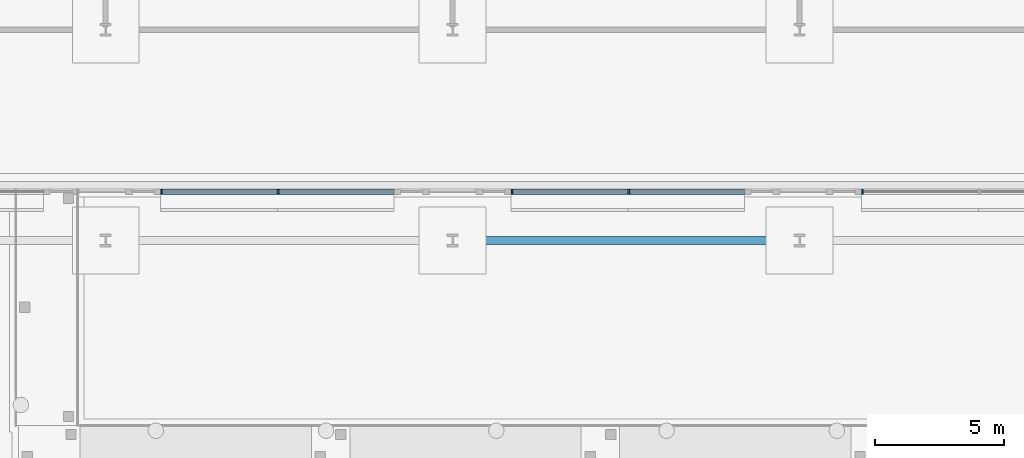
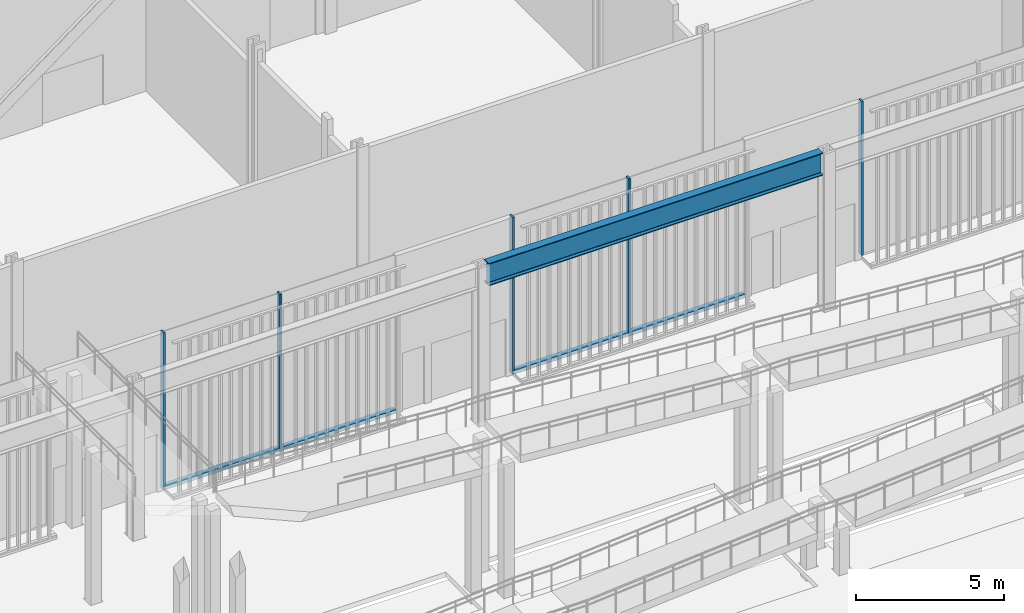
# One storey, part 4 of 28: 7 members, 1 beam, 1 element without a shape of its own.
"""IFC4 building model written with IfcOpenShell, lengths in metres."""

from ifc_helpers import new_model, si_unit, direction, frame, origin, origin_2d, place, context, subcontext, project, spatial, rectangle, i_section, extrude, material, layer, layer_set, material_profile, profile_set, type_object, element, aggregate, save


model = new_model("IFC4")

# Units and contexts
model_context = context("Model", 3, precision=1e-05, world=origin(), true_north=direction((0.0, 1.0)))
body_context = subcontext(model_context, "Body", "Model", "MODEL_VIEW")
ifc_project = project(units=[si_unit("LENGTHUNIT", "METRE"), si_unit("AREAUNIT", "SQUARE_METRE"), si_unit("VOLUMEUNIT", "CUBIC_METRE"), si_unit("PLANEANGLEUNIT", "RADIAN"), si_unit("MASSUNIT", "GRAM", prefix="KILO")], contexts=[model_context])

# Site, building, storey
site_placement = place(None, origin())
site = spatial("IfcSite", under=ifc_project, at=site_placement, CompositionType="ELEMENT")
building_placement = place(site_placement, origin())
building = spatial("IfcBuilding", under=site, at=building_placement, Name="Millrace Tower", CompositionType="ELEMENT")
storey_placement = place(building_placement, origin())
storey = spatial("IfcBuildingStorey", under=building, at=storey_placement, Name="L01", CompositionType="ELEMENT", Elevation=0.0)

# Curtain wall, members
ifc_material_1 = material(Name="Aluminium and glass", Category="aluminium")
ifc_layer = layer(ifc_material_1, 0.199951171875)
ifc_layer_set = layer_set([ifc_layer], Name="Aluminium and glass")
curtain_wall_type = type_object("IfcCurtainWallType", Name="CW-6 lobby and cascade wing storefront", PredefinedType="NOTDEFINED", material=ifc_layer_set)
curtain_wall_placement = place(storey_placement, origin())
curtain_wall = element("IfcCurtainWall", 1, at=curtain_wall_placement, inside=storey, type_object=curtain_wall_type, Name="Curtain wall AW1-F01 L01", PredefinedType="NOTDEFINED")
ifc_material_2 = material(Name="Aluminium", Category="aluminium")
ifc_material_profile_1 = material_profile(ifc_material_2, rectangle(XDim=0.074951171875, YDim=0.199951171875, at=origin_2d()))
ifc_profile_set_1 = profile_set([ifc_material_profile_1], Name="Aluminium")
member_type_1 = type_object("IfcMemberType", Name="CW-6 lobby and cascade wing storefront mullion", PredefinedType="MULLION", material=ifc_profile_set_1)
member_1_placement = place(storey_placement, frame((-11.326171875, -47.699951171875, 0.14990234375), z_axis=(0.0, 0.0, 1.0), x_axis=(1.0, 0.0, 0.0)))
member_1 = element("IfcMember", 2, at=member_1_placement, type_object=member_type_1, Name="CW6 mullion AW1-F01.4", PredefinedType="MULLION", context=body_context, shape_type="SweptSolid", body=[
    extrude(rectangle(XDim=0.074951171875, YDim=0.199951171875, at=origin_2d()), origin(), (0.0, 0.0, 1.0), 6.35009765625),
])
member_2_placement = place(storey_placement, frame((-6.78076171875, -47.699951171875, 0.14990234375), z_axis=(0.0, 0.0, 1.0), x_axis=(1.0, 0.0, 0.0)))
member_2 = element("IfcMember", 3, at=member_2_placement, type_object=member_type_1, Name="CW6 mullion AW1-F01.5", PredefinedType="MULLION", context=body_context, shape_type="SweptSolid", body=[
    extrude(rectangle(XDim=0.074951171875, YDim=0.199951171875, at=origin_2d()), origin(), (0.0, 0.0, 1.0), 6.35009765625),
])
member_3_placement = place(storey_placement, frame((2.310302734375, -47.699951171875, 0.14990234375), z_axis=(0.0, 0.0, 1.0), x_axis=(1.0, 0.0, 0.0)))
member_3 = element("IfcMember", 4, at=member_3_placement, type_object=member_type_1, Name="CW6 mullion AW1-F01.7", PredefinedType="MULLION", context=body_context, shape_type="SweptSolid", body=[
    extrude(rectangle(XDim=0.074951171875, YDim=0.199951171875, at=origin_2d()), origin(), (0.0, 0.0, 1.0), 6.35009765625),
])
member_4_placement = place(storey_placement, frame((6.855712890625, -47.699951171875, 0.14990234375), z_axis=(0.0, 0.0, 1.0), x_axis=(1.0, 0.0, 0.0)))
member_4 = element("IfcMember", 5, at=member_4_placement, type_object=member_type_1, Name="CW6 mullion AW1-F01.8", PredefinedType="MULLION", context=body_context, shape_type="SweptSolid", body=[
    extrude(rectangle(XDim=0.074951171875, YDim=0.199951171875, at=origin_2d()), origin(), (0.0, 0.0, 1.0), 6.35009765625),
])
member_5_placement = place(storey_placement, frame((15.946533203125, -47.699951171875, 0.14990234375), z_axis=(0.0, 0.0, 1.0), x_axis=(1.0, 0.0, 0.0)))
member_5 = element("IfcMember", 6, at=member_5_placement, type_object=member_type_1, Name="CW6 mullion AW1-F01.10", PredefinedType="MULLION", context=body_context, shape_type="SweptSolid", body=[
    extrude(rectangle(XDim=0.074951171875, YDim=0.199951171875, at=origin_2d()), origin(), (0.0, 0.0, 1.0), 6.35009765625),
])
ifc_material_3 = material(Name="Aluminium", Category="aluminium")
ifc_material_profile_2 = material_profile(ifc_material_3, rectangle(XDim=0.199951171875, YDim=0.14990234375, at=origin_2d()))
ifc_profile_set_2 = profile_set([ifc_material_profile_2], Name="Aluminium")
member_type_2 = type_object("IfcMemberType", Name="CW-6 lobby and cascade wing storefront transom", PredefinedType="USERDEFINED", material=ifc_profile_set_2)
member_6_placement = place(storey_placement, frame((-11.363525390625, -47.699951171875, 0.074951171875), z_axis=(1.0, 0.0, 0.0), x_axis=(0.0, 1.0, 0.0)))
member_6 = element("IfcMember", 7, at=member_6_placement, type_object=member_type_2, Name="CW6 transom AW1-F01.2", ObjectType="TRANSOM", PredefinedType="USERDEFINED", context=body_context, shape_type="SweptSolid", body=[
    extrude(rectangle(XDim=0.199951171875, YDim=0.14990234375, at=origin_2d()), origin(), (0.0, 0.0, 1.0), 9.0908203125),
])
member_7_placement = place(storey_placement, frame((2.272705078125, -47.699951171875, 0.074951171875), z_axis=(1.0, 0.0, 0.0), x_axis=(0.0, 1.0, 0.0)))
member_7 = element("IfcMember", 8, at=member_7_placement, type_object=member_type_2, Name="CW6 transom AW1-F01.3", ObjectType="TRANSOM", PredefinedType="USERDEFINED", context=body_context, shape_type="SweptSolid", body=[
    extrude(rectangle(XDim=0.199951171875, YDim=0.14990234375, at=origin_2d()), origin(), (0.0, 0.0, 1.0), 9.0908203125),
])
aggregate(curtain_wall, [member_1, member_2, member_3, member_4, member_5, member_6, member_7])

# Beam
ifc_material_4 = material(Name="Steel ASTM A992 Grade 50", Category="steel")
ifc_material_profile_3 = material_profile(ifc_material_4, i_section(OverallWidth=0.307373046875, OverallDepth=0.927001953125, WebThickness=0.01953125, FlangeThickness=0.031982421875, FilletRadius=0.01904296875, at=origin_2d()))
ifc_profile_set_3 = profile_set([ifc_material_profile_3], Name="Steel ASTM A992 Grade 50")
beam_type = type_object("IfcBeamType", Name="Terrace edge beam W36x194", PredefinedType="BEAM", material=ifc_profile_set_3)
beam_placement = place(storey_placement, frame((0.2158203125, -49.60009765625, 6.036376953125), z_axis=(1.0, 0.0, 0.0), x_axis=(0.0, 1.0, 0.0)))
element("IfcBeam", 9, at=beam_placement, inside=storey, type_object=beam_type, Name="BM-WING-L01-EDGE03", PredefinedType="BEAM", context=body_context, shape_type="SweptSolid", body=[
    extrude(i_section(OverallWidth=0.307373046875, OverallDepth=0.927001953125, WebThickness=0.01953125, FlangeThickness=0.031982421875, FilletRadius=0.01904296875, at=origin_2d()), origin(), (0.0, 0.0, 1.0), 13.068359375),
])

save(model, "model.ifc")
